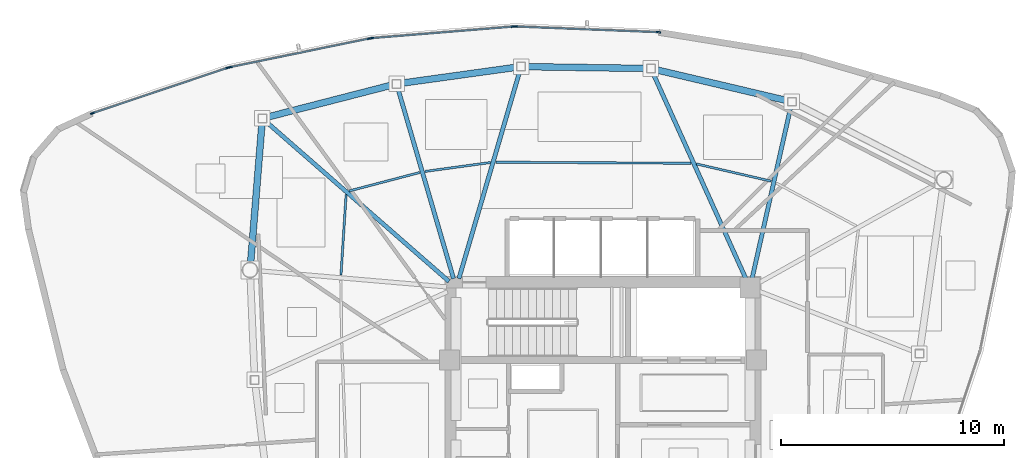
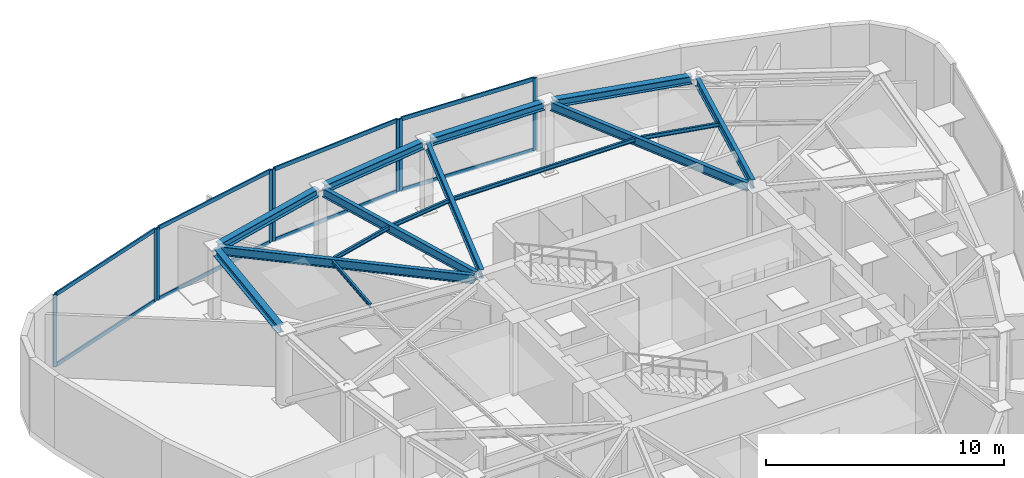
# One storey, part 5 of 13: 16 members, 15 beams, 4 elements without a shape of their own.
"""IFC4 building model written with IfcOpenShell, lengths in metres."""

from ifc_helpers import new_model, si_unit, direction, frame, origin, origin_2d, place, context, subcontext, project, spatial, hollow_rectangle, i_section, extrude, source, transform, mapped, material, layer, layer_set, material_profile, profile_set, type_object, type_shapes, element, aggregate, save


model = new_model("IFC4")

# Units and contexts
model_context = context("Model", 3, precision=1e-05, world=origin(), true_north=direction((0.0, 1.0)))
body_context = subcontext(model_context, "Body", "Model", "MODEL_VIEW")
ifc_project = project(units=[si_unit("LENGTHUNIT", "METRE"), si_unit("AREAUNIT", "SQUARE_METRE"), si_unit("VOLUMEUNIT", "CUBIC_METRE"), si_unit("PLANEANGLEUNIT", "RADIAN"), si_unit("MASSUNIT", "GRAM", prefix="KILO")], contexts=[model_context])

# Site, building, storey
site_placement = place(None, origin())
site = spatial("IfcSite", under=ifc_project, at=site_placement, CompositionType="ELEMENT")
building_placement = place(site_placement, origin())
building = spatial("IfcBuilding", under=site, at=building_placement, Name="Tavelor Broadcast Tower", CompositionType="ELEMENT")
storey_placement = place(building_placement, frame((0.0, 0.0, 301.5)))
storey = spatial("IfcBuildingStorey", under=building, at=storey_placement, Name="L72", CompositionType="ELEMENT", Elevation=301.5)

# Beams
ifc_material_1 = material(Name="Steel S355", Category="steel")
ifc_material_profile_1 = material_profile(ifc_material_1, i_section(OverallWidth=0.10009765625, OverallDepth=0.199951171875, WebThickness=0.005615234375, FlangeThickness=0.008544921875, at=origin_2d()), Name="IPE 200")
ifc_profile_set_1 = profile_set([ifc_material_profile_1], Name="Steel S355")
beam_type_1 = type_object("IfcBeamType", Name="Composite Floor Joist T8 IPE 200", PredefinedType="JOIST", material=ifc_profile_set_1)
beam_1_placement = place(storey_placement, frame((57.553466796875, 55.98828125, 3.60009765625), z_axis=(-0.974380456478, 0.224906038232, 0.0), x_axis=(-0.224906038232, -0.974380456478, 0.0)))
element("IfcBeam", 1, at=beam_1_placement, inside=storey, type_object=beam_type_1, Name="L72 Secondary Composite Floor Joist 14", PredefinedType="JOIST", context=body_context, shape_type="SweptSolid", body=[
    extrude(i_section(OverallWidth=0.10009765625, OverallDepth=0.199951171875, WebThickness=0.005615234375, FlangeThickness=0.008544921875, at=origin_2d()), origin(), (0.0, 0.0, 1.0), 3.44873046875),
])
beam_2_placement = place(storey_placement, frame((53.948486328125, 56.79248046875, 3.60009765625), z_axis=(-0.999983070215, 0.005818873004, 0.0), x_axis=(-0.005818873004, -0.999983070215, 0.0)))
element("IfcBeam", 2, at=beam_2_placement, inside=storey, type_object=beam_type_1, Name="L72 Secondary Composite Floor Joist 15", PredefinedType="JOIST", context=body_context, shape_type="SweptSolid", body=[
    extrude(i_section(OverallWidth=0.10009765625, OverallDepth=0.199951171875, WebThickness=0.005615234375, FlangeThickness=0.008544921875, at=origin_2d()), origin(), (0.0, 0.0, 1.0), 8.76904296875),
])
beam_3_placement = place(storey_placement, frame((44.933349609375, 56.827392578125, 3.60009765625), z_axis=(-0.990783480594, -0.135455138636, 0.0), x_axis=(0.135455138636, -0.990783480594, 0.0)))
element("IfcBeam", 3, at=beam_3_placement, inside=storey, type_object=beam_type_1, Name="L72 Secondary Composite Floor Joist 16", PredefinedType="JOIST", context=body_context, shape_type="SweptSolid", body=[
    extrude(i_section(OverallWidth=0.10009765625, OverallDepth=0.199951171875, WebThickness=0.005615234375, FlangeThickness=0.008544921875, at=origin_2d()), origin(), (0.0, 0.0, 1.0), 2.963134765625),
])
beam_4_placement = place(storey_placement, frame((41.755126953125, 56.3779296875, 3.60009765625), z_axis=(-0.967401296423, -0.253248359677, 0.0), x_axis=(0.253248359677, -0.967401296423, 0.0)))
element("IfcBeam", 4, at=beam_4_placement, inside=storey, type_object=beam_type_1, Name="L72 Secondary Composite Floor Joist 17", PredefinedType="JOIST", context=body_context, shape_type="SweptSolid", body=[
    extrude(i_section(OverallWidth=0.10009765625, OverallDepth=0.199951171875, WebThickness=0.005615234375, FlangeThickness=0.008544921875, at=origin_2d()), origin(), (0.0, 0.0, 1.0), 3.282470703125),
])
beam_5_placement = place(storey_placement, frame((38.451904296875, 55.391845703125, 3.60009765625), z_axis=(-0.063760012588, -0.997965260315, 0.0), x_axis=(0.997965260315, -0.063760012588, 0.0)))
element("IfcBeam", 5, at=beam_5_placement, inside=storey, type_object=beam_type_1, Name="L72 Secondary Composite Floor Joist 18", PredefinedType="JOIST", context=body_context, shape_type="SweptSolid", body=[
    extrude(i_section(OverallWidth=0.10009765625, OverallDepth=0.199951171875, WebThickness=0.005615234375, FlangeThickness=0.008544921875, at=origin_2d()), origin(), (0.0, 0.0, 1.0), 3.6298828125),
])
ifc_material_profile_2 = material_profile(ifc_material_1, i_section(OverallWidth=0.300048828125, OverallDepth=0.39990234375, WebThickness=0.013427734375, FlangeThickness=0.02392578125, at=origin_2d()), Name="HEB 400")
ifc_profile_set_2 = profile_set([ifc_material_profile_2], Name="Steel S355")
beam_type_2 = type_object("IfcBeamType", Name="Perimeter Spandrel Beam T8 HEB 400", PredefinedType="SPANDREL", material=ifc_profile_set_2)
beam_6_placement = place(storey_placement, frame((58.298583984375, 59.601318359375, 3.5), z_axis=(-0.973341352965, 0.229361310181, 0.0), x_axis=(-0.229361310181, -0.973341352965, 0.0)))
element("IfcBeam", 6, at=beam_6_placement, inside=storey, type_object=beam_type_2, Name="L72 Framed-Tube Ring Spandrel 14", PredefinedType="SPANDREL", context=body_context, shape_type="SweptSolid", body=[
    extrude(i_section(OverallWidth=0.300048828125, OverallDepth=0.39990234375, WebThickness=0.013427734375, FlangeThickness=0.02392578125, at=origin_2d()), origin(), (0.0, 0.0, 1.0), 6.1279296875),
])
beam_7_placement = place(storey_placement, frame((51.955078125, 61.0537109375, 3.5), z_axis=(-0.999889988423, 0.014832769514, 0.0), x_axis=(-0.014832769514, -0.999889988423, 0.0)))
element("IfcBeam", 7, at=beam_7_placement, inside=storey, type_object=beam_type_2, Name="L72 Framed-Tube Ring Spandrel 15", PredefinedType="SPANDREL", context=body_context, shape_type="SweptSolid", body=[
    extrude(i_section(OverallWidth=0.300048828125, OverallDepth=0.39990234375, WebThickness=0.013427734375, FlangeThickness=0.02392578125, at=origin_2d()), origin(), (0.0, 0.0, 1.0), 5.447998046875),
])
beam_8_placement = place(storey_placement, frame((46.125244140625, 61.11083984375, 3.5), z_axis=(-0.990516995132, -0.137390255677, 0.0), x_axis=(0.137390255677, -0.990516995132, 0.0)))
element("IfcBeam", 8, at=beam_8_placement, inside=storey, type_object=beam_type_2, Name="L72 Framed-Tube Ring Spandrel 16", PredefinedType="SPANDREL", context=body_context, shape_type="SweptSolid", body=[
    extrude(i_section(OverallWidth=0.300048828125, OverallDepth=0.39990234375, WebThickness=0.013427734375, FlangeThickness=0.02392578125, at=origin_2d()), origin(), (0.0, 0.0, 1.0), 5.26708984375),
])
beam_9_placement = place(storey_placement, frame((40.531982421875, 60.31298828125, 3.5), z_axis=(-0.96843501409, -0.249266169955, 0.0), x_axis=(0.249266169955, -0.96843501409, 0.0)))
element("IfcBeam", 9, at=beam_9_placement, inside=storey, type_object=beam_type_2, Name="L72 Framed-Tube Ring Spandrel 17", PredefinedType="SPANDREL", context=body_context, shape_type="SweptSolid", body=[
    extrude(i_section(OverallWidth=0.300048828125, OverallDepth=0.39990234375, WebThickness=0.013427734375, FlangeThickness=0.02392578125, at=origin_2d()), origin(), (0.0, 0.0, 1.0), 5.84130859375),
])
beam_10_placement = place(storey_placement, frame((34.673583984375, 58.61767578125, 3.5), z_axis=(-0.081080064874, -0.996707591563, 0.0), x_axis=(0.996707591563, -0.081080064874, 0.0)))
element("IfcBeam", 10, at=beam_10_placement, inside=storey, type_object=beam_type_2, Name="L72 Framed-Tube Ring Spandrel 18", PredefinedType="SPANDREL", context=body_context, shape_type="SweptSolid", body=[
    extrude(i_section(OverallWidth=0.300048828125, OverallDepth=0.39990234375, WebThickness=0.013427734375, FlangeThickness=0.02392578125, at=origin_2d()), origin(), (0.0, 0.0, 1.0), 6.30224609375),
])
ifc_material_profile_3 = material_profile(ifc_material_1, i_section(OverallWidth=0.18994140625, OverallDepth=0.449951171875, WebThickness=0.009521484375, FlangeThickness=0.0146484375, at=origin_2d()), Name="IPE 450")
ifc_profile_set_3 = profile_set([ifc_material_profile_3], Name="Steel S355")
beam_type_3 = type_object("IfcBeamType", Name="Radial Floor Girder T8 IPE 450", PredefinedType="BEAM", material=ifc_profile_set_3)
beam_11_placement = place(storey_placement, frame((56.695068359375, 51.621337890625, 3.47509765625), z_axis=(0.220095779936, 0.975478266111, 0.0), x_axis=(-0.975478266111, 0.220095779936, 0.0)))
element("IfcBeam", 11, at=beam_11_placement, inside=storey, type_object=beam_type_3, Name="L72 Radial Primary Floor Girder 14", PredefinedType="BEAM", context=body_context, shape_type="SweptSolid", body=[
    extrude(i_section(OverallWidth=0.18994140625, OverallDepth=0.449951171875, WebThickness=0.009521484375, FlangeThickness=0.0146484375, at=origin_2d()), origin(), (0.0, 0.0, 1.0), 7.943359375),
])
beam_12_placement = place(storey_placement, frame((56.422119140625, 51.59375, 3.47509765625), z_axis=(-0.411898788623, 0.911229602203, 0.0), x_axis=(-0.911229602203, -0.411898788623, 0.0)))
element("IfcBeam", 12, at=beam_12_placement, inside=storey, type_object=beam_type_3, Name="L72 Radial Primary Floor Girder 15", PredefinedType="BEAM", context=body_context, shape_type="SweptSolid", body=[
    extrude(i_section(OverallWidth=0.18994140625, OverallDepth=0.449951171875, WebThickness=0.009521484375, FlangeThickness=0.0146484375, at=origin_2d()), origin(), (0.0, 0.0, 1.0), 10.1865234375),
])
beam_13_placement = place(storey_placement, frame((43.521484375, 51.614501953125, 3.47509765625), z_axis=(0.281536086391, 0.959550640696, 0.0), x_axis=(-0.959550640696, 0.281536086391, 0.0)))
element("IfcBeam", 13, at=beam_13_placement, inside=storey, type_object=beam_type_3, Name="L72 Radial Primary Floor Girder 16", PredefinedType="BEAM", context=body_context, shape_type="SweptSolid", body=[
    extrude(i_section(OverallWidth=0.18994140625, OverallDepth=0.449951171875, WebThickness=0.009521484375, FlangeThickness=0.0146484375, at=origin_2d()), origin(), (0.0, 0.0, 1.0), 9.732177734375),
])
beam_14_placement = place(storey_placement, frame((43.278564453125, 51.614501953125, 3.47509765625), z_axis=(-0.280989740676, 0.959710771866, 0.0), x_axis=(-0.959710771866, -0.280989740676, 0.0)))
element("IfcBeam", 14, at=beam_14_placement, inside=storey, type_object=beam_type_3, Name="L72 Radial Primary Floor Girder 17", PredefinedType="BEAM", context=body_context, shape_type="SweptSolid", body=[
    extrude(i_section(OverallWidth=0.18994140625, OverallDepth=0.449951171875, WebThickness=0.009521484375, FlangeThickness=0.0146484375, at=origin_2d()), origin(), (0.0, 0.0, 1.0), 8.92138671875),
])
beam_15_placement = place(storey_placement, frame((43.07470703125, 51.484130859375, 3.47509765625), z_axis=(-0.753136193323, 0.657864632206, 0.0), x_axis=(-0.657864632206, -0.753136193323, 0.0)))
element("IfcBeam", 15, at=beam_15_placement, inside=storey, type_object=beam_type_3, Name="L72 Radial Primary Floor Girder 18", PredefinedType="BEAM", context=body_context, shape_type="SweptSolid", body=[
    extrude(i_section(OverallWidth=0.18994140625, OverallDepth=0.449951171875, WebThickness=0.009521484375, FlangeThickness=0.0146484375, at=origin_2d()), origin(), (0.0, 0.0, 1.0), 10.942138671875),
])

# Curtain wall, members
ifc_material_2 = material(Name="Architectural Anodized Aluminium", Category="aluminium")
ifc_layer = layer(ifc_material_2, 0.199951171875)
ifc_layer_set = layer_set([ifc_layer], Name="Architectural Anodized Aluminium")
curtain_wall_type = type_object("IfcCurtainWallType", Name="Tower High-Zone Triple-Glazed Curtain Wall CW04", PredefinedType="NOTDEFINED", material=ifc_layer_set)
curtain_wall_1_placement = place(storey_placement, origin())
curtain_wall_1 = element("IfcCurtainWall", 16, at=curtain_wall_1_placement, inside=storey, type_object=curtain_wall_type, Name="L72 Curtain Wall CW04 Run 801", PredefinedType="NOTDEFINED")
ifc_material_profile_4 = material_profile(ifc_material_2, hollow_rectangle(XDim=0.070068359375, YDim=0.199951171875, WallThickness=0.02197265625, at=origin_2d()), Name="RHS 70x200x22")
ifc_profile_set_4 = profile_set([ifc_material_profile_4], Name="Architectural Anodized Aluminium")
member_type_1 = type_object("IfcMemberType", Name="CW04 Extruded Aluminium Mullion 70x200", PredefinedType="MULLION", material=ifc_profile_set_4)
shared_shape_1 = source(origin(), body_context, "Body", "SweptSolid", [
    extrude(hollow_rectangle(XDim=0.070068359375, YDim=0.199951171875, WallThickness=0.02197265625, at=origin_2d()), origin(), (0.0, 0.0, 1.0), 3.699951171875),
])
type_shapes(member_type_1, [shared_shape_1])
member_1_placement = place(storey_placement, frame((52.4814453125, 62.68212890625, 0.0), z_axis=(0.0, 0.0, 1.0), x_axis=(-0.039708664155, -0.999211299972, 0.0)))
member_1 = element("IfcMember", 17, at=member_1_placement, type_object=member_type_1, Name="CW04 mullion 1", PredefinedType="MULLION", context=body_context, shape_type="MappedRepresentation", body=[
    mapped(shared_shape_1, transform((0.0, 0.0, 0.0), scale=1.0)),
])
member_2_placement = place(storey_placement, frame((46.07421875, 62.936767578125, 0.0), z_axis=(0.0, 0.0, 1.0), x_axis=(-0.039708664155, -0.999211299972, 0.0)))
member_2 = element("IfcMember", 18, at=member_2_placement, type_object=member_type_1, Name="CW04 mullion 2", PredefinedType="MULLION", context=body_context, shape_type="MappedRepresentation", body=[
    mapped(shared_shape_1, transform((0.0, 0.0, 0.0), scale=1.0)),
])

curtain_wall_2_placement = place(storey_placement, origin())
curtain_wall_2 = element("IfcCurtainWall", 19, at=curtain_wall_2_placement, inside=storey, type_object=curtain_wall_type, Name="L72 Curtain Wall CW04 Run 802", PredefinedType="NOTDEFINED")
member_3_placement = place(storey_placement, frame((45.974365234375, 62.934814453125, 0.0), z_axis=(0.0, 0.0, 1.0), x_axis=(0.081503385587, -0.99667306482, 0.0)))
member_3 = element("IfcMember", 20, at=member_3_placement, type_object=member_type_1, Name="CW04 mullion 1", PredefinedType="MULLION", context=body_context, shape_type="MappedRepresentation", body=[
    mapped(shared_shape_1, transform((0.0, 0.0, 0.0), scale=1.0)),
])
member_4_placement = place(storey_placement, frame((39.598388671875, 62.413330078125, 0.0), z_axis=(0.0, 0.0, 1.0), x_axis=(0.081503385587, -0.99667306482, 0.0)))
member_4 = element("IfcMember", 21, at=member_4_placement, type_object=member_type_1, Name="CW04 mullion 2", PredefinedType="MULLION", context=body_context, shape_type="MappedRepresentation", body=[
    mapped(shared_shape_1, transform((0.0, 0.0, 0.0), scale=1.0)),
])

curtain_wall_3_placement = place(storey_placement, origin())
curtain_wall_3 = element("IfcCurtainWall", 22, at=curtain_wall_3_placement, inside=storey, type_object=curtain_wall_type, Name="L72 Curtain Wall CW04 Run 803", PredefinedType="NOTDEFINED")
member_5_placement = place(storey_placement, frame((39.499755859375, 62.399169921875, 0.0), z_axis=(0.0, 0.0, 1.0), x_axis=(0.201522033446, -0.979483981511, 0.0)))
member_5 = element("IfcMember", 23, at=member_5_placement, type_object=member_type_1, Name="CW04 mullion 1", PredefinedType="MULLION", context=body_context, shape_type="MappedRepresentation", body=[
    mapped(shared_shape_1, transform((0.0, 0.0, 0.0), scale=1.0)),
])
member_6_placement = place(storey_placement, frame((33.233642578125, 61.10986328125, 0.0), z_axis=(0.0, 0.0, 1.0), x_axis=(0.201522033446, -0.979483981511, 0.0)))
member_6 = element("IfcMember", 24, at=member_6_placement, type_object=member_type_1, Name="CW04 mullion 2", PredefinedType="MULLION", context=body_context, shape_type="MappedRepresentation", body=[
    mapped(shared_shape_1, transform((0.0, 0.0, 0.0), scale=1.0)),
])

curtain_wall_4_placement = place(storey_placement, origin())
curtain_wall_4 = element("IfcCurtainWall", 25, at=curtain_wall_4_placement, inside=storey, type_object=curtain_wall_type, Name="L72 Curtain Wall CW04 Run 804", PredefinedType="NOTDEFINED")
member_7_placement = place(storey_placement, frame((33.13720703125, 61.083984375, 0.0), z_axis=(0.0, 0.0, 1.0), x_axis=(0.318563628897, -0.947901479239, 0.0)))
member_7 = element("IfcMember", 26, at=member_7_placement, type_object=member_type_1, Name="CW04 mullion 1", PredefinedType="MULLION", context=body_context, shape_type="MappedRepresentation", body=[
    mapped(shared_shape_1, transform((0.0, 0.0, 0.0), scale=1.0)),
])
member_8_placement = place(storey_placement, frame((27.058349609375, 59.041015625, 0.0), z_axis=(0.0, 0.0, 1.0), x_axis=(0.318563628897, -0.947901479239, 0.0)))
member_8 = element("IfcMember", 27, at=member_8_placement, type_object=member_type_1, Name="CW04 mullion 2", PredefinedType="MULLION", context=body_context, shape_type="MappedRepresentation", body=[
    mapped(shared_shape_1, transform((0.0, 0.0, 0.0), scale=1.0)),
])

# Member
ifc_material_profile_5 = material_profile(ifc_material_2, hollow_rectangle(XDim=0.070068359375, YDim=0.199951171875, WallThickness=0.02197265625, at=origin_2d()), Name="RHS 70x200x22")
ifc_profile_set_5 = profile_set([ifc_material_profile_5], Name="Architectural Anodized Aluminium")
member_type_2 = type_object("IfcMemberType", Name="CW04 Extruded Aluminium Transom 70x200", PredefinedType="USERDEFINED", material=ifc_profile_set_5)
shared_shape_2 = source(origin(), body_context, "Body", "SweptSolid", [
    extrude(hollow_rectangle(XDim=0.070068359375, YDim=0.199951171875, WallThickness=0.02197265625, at=origin_2d()), origin(), (0.0, 0.0, 1.0), 6.3271484375),
])
member_9_placement = place(storey_placement, frame((45.939453125, 62.931884765625, 0.034912109375), z_axis=(-0.996673879096, -0.081493427513, 0.0), x_axis=(0.081493427513, -0.996673879096, 0.0)))
member_9 = element("IfcMember", 28, at=member_9_placement, type_object=member_type_2, Name="CW04 transom 1.1", ObjectType="TRANSOM", PredefinedType="USERDEFINED", context=body_context, shape_type="MappedRepresentation", body=[
    mapped(shared_shape_2, transform((0.0, 0.0, 0.0), scale=1.0)),
])

member_10_placement = place(storey_placement, frame((45.939453125, 62.931884765625, 3.6650390625), z_axis=(-0.996673879096, -0.081493427513, 0.0), x_axis=(0.081493427513, -0.996673879096, 0.0)))
member_10 = element("IfcMember", 29, at=member_10_placement, type_object=member_type_2, Name="CW04 transom 1.2", ObjectType="TRANSOM", PredefinedType="USERDEFINED", context=body_context, shape_type="MappedRepresentation", body=[
    mapped(shared_shape_2, transform((0.0, 0.0, 0.0), scale=1.0)),
])

aggregate(curtain_wall_2, [member_3, member_4, member_9, member_10])

member_11_placement = place(storey_placement, frame((39.46533203125, 62.39208984375, 0.034912109375), z_axis=(-0.979480796802, -0.201537511885, 0.0), x_axis=(0.201537511885, -0.979480796802, 0.0)))
member_11 = element("IfcMember", 30, at=member_11_placement, type_object=member_type_2, Name="CW04 transom 1.1", ObjectType="TRANSOM", PredefinedType="USERDEFINED", context=body_context, shape_type="MappedRepresentation", body=[
    mapped(shared_shape_2, transform((0.0, 0.0, 0.0), scale=1.0)),
])

member_12_placement = place(storey_placement, frame((39.46533203125, 62.39208984375, 3.6650390625), z_axis=(-0.979480796802, -0.201537511885, 0.0), x_axis=(0.201537511885, -0.979480796802, 0.0)))
member_12 = element("IfcMember", 31, at=member_12_placement, type_object=member_type_2, Name="CW04 transom 1.2", ObjectType="TRANSOM", PredefinedType="USERDEFINED", context=body_context, shape_type="MappedRepresentation", body=[
    mapped(shared_shape_2, transform((0.0, 0.0, 0.0), scale=1.0)),
])

aggregate(curtain_wall_3, [member_5, member_6, member_11, member_12])

shared_shape_3 = source(origin(), body_context, "Body", "SweptSolid", [
    extrude(hollow_rectangle(XDim=0.070068359375, YDim=0.199951171875, WallThickness=0.02197265625, at=origin_2d()), origin(), (0.0, 0.0, 1.0), 6.34326171875),
])
member_13_placement = place(storey_placement, frame((33.104248046875, 61.07275390625, 0.034912109375), z_axis=(-0.947899082277, -0.318570761085, 0.0), x_axis=(0.318570761085, -0.947899082277, 0.0)))
member_13 = element("IfcMember", 32, at=member_13_placement, type_object=member_type_2, Name="CW04 transom 1.1", ObjectType="TRANSOM", PredefinedType="USERDEFINED", context=body_context, shape_type="MappedRepresentation", body=[
    mapped(shared_shape_3, transform((0.0, 0.0, 0.0), scale=1.0)),
])

member_14_placement = place(storey_placement, frame((33.104248046875, 61.07275390625, 3.6650390625), z_axis=(-0.947899082277, -0.318570761085, 0.0), x_axis=(0.318570761085, -0.947899082277, 0.0)))
member_14 = element("IfcMember", 33, at=member_14_placement, type_object=member_type_2, Name="CW04 transom 1.2", ObjectType="TRANSOM", PredefinedType="USERDEFINED", context=body_context, shape_type="MappedRepresentation", body=[
    mapped(shared_shape_3, transform((0.0, 0.0, 0.0), scale=1.0)),
])

aggregate(curtain_wall_4, [member_7, member_8, member_13, member_14])

shared_shape_4 = source(origin(), body_context, "Body", "SweptSolid", [
    extrude(hollow_rectangle(XDim=0.070068359375, YDim=0.199951171875, WallThickness=0.02197265625, at=origin_2d()), origin(), (0.0, 0.0, 1.0), 6.342041015625),
])
type_shapes(member_type_2, [shared_shape_2, shared_shape_3, shared_shape_4])
member_15_placement = place(storey_placement, frame((52.4462890625, 62.68359375, 0.034912109375), z_axis=(-0.999212111356, 0.039688241584, 0.0), x_axis=(-0.039688241584, -0.999212111356, 0.0)))
member_15 = element("IfcMember", 34, at=member_15_placement, type_object=member_type_2, Name="CW04 transom 1.1", ObjectType="TRANSOM", PredefinedType="USERDEFINED", context=body_context, shape_type="MappedRepresentation", body=[
    mapped(shared_shape_4, transform((0.0, 0.0, 0.0), scale=1.0)),
])

member_16_placement = place(storey_placement, frame((52.4462890625, 62.68359375, 3.6650390625), z_axis=(-0.999212111356, 0.039688241584, 0.0), x_axis=(-0.039688241584, -0.999212111356, 0.0)))
member_16 = element("IfcMember", 35, at=member_16_placement, type_object=member_type_2, Name="CW04 transom 1.2", ObjectType="TRANSOM", PredefinedType="USERDEFINED", context=body_context, shape_type="MappedRepresentation", body=[
    mapped(shared_shape_4, transform((0.0, 0.0, 0.0), scale=1.0)),
])

aggregate(curtain_wall_1, [member_1, member_2, member_15, member_16])

save(model, "model.ifc")
